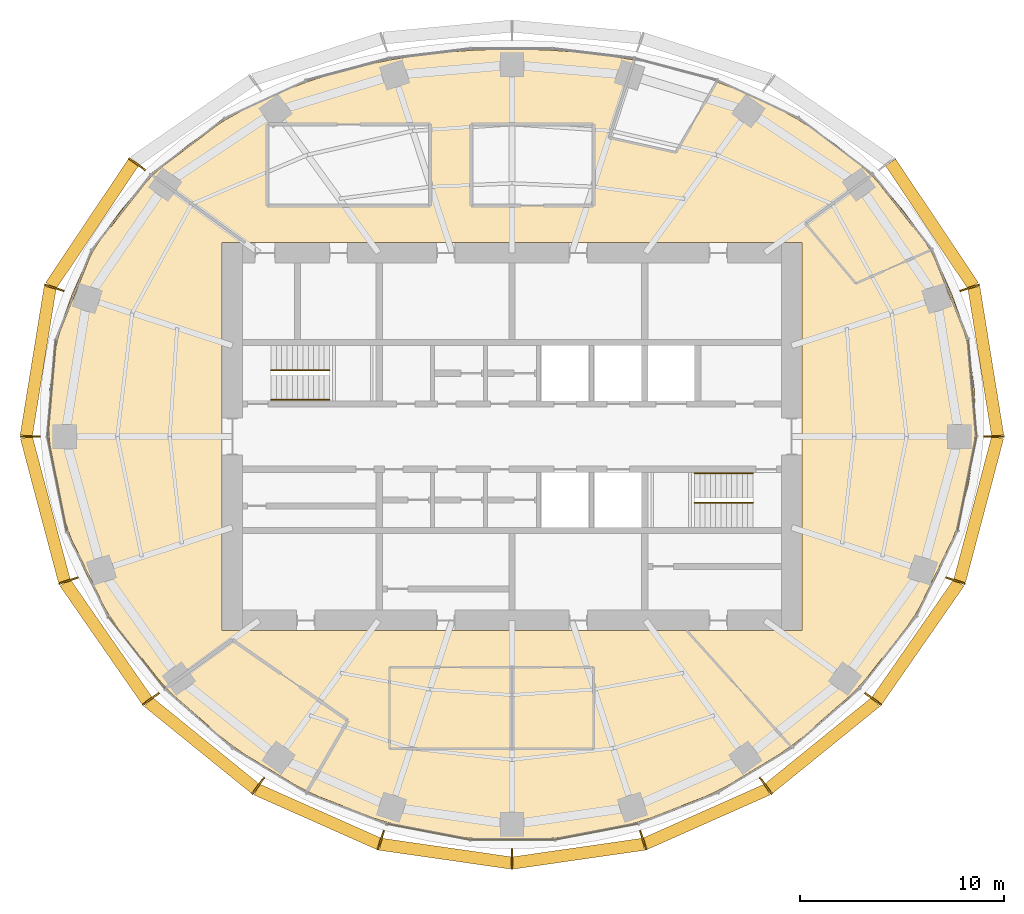
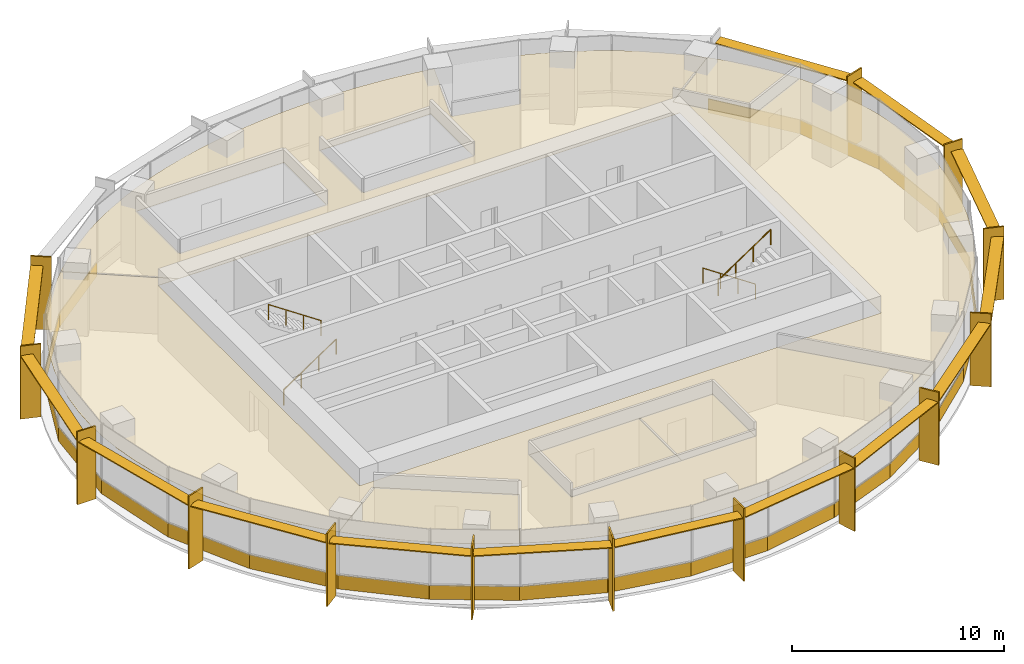
# One storey, part 12 of 13: 28 coverings, 28 shading devices, 4 railings.
"""IFC4 building model written with IfcOpenShell, lengths in metres."""

from ifc_helpers import new_model, si_unit, direction, frame, origin, origin_2d, place, context, subcontext, project, spatial, polyline, rectangle, circle, outline, extrude, material, layer, layer_set, type_object, element, save


model = new_model("IFC4")

# Units and contexts
model_context = context("Model", 3, precision=1e-05, world=origin(), true_north=direction((0.0, 1.0)))
body_context = subcontext(model_context, "Body", "Model", "MODEL_VIEW")
ifc_project = project(units=[si_unit("LENGTHUNIT", "METRE"), si_unit("AREAUNIT", "SQUARE_METRE"), si_unit("VOLUMEUNIT", "CUBIC_METRE"), si_unit("PLANEANGLEUNIT", "RADIAN"), si_unit("MASSUNIT", "GRAM", prefix="KILO")], contexts=[model_context])

# Site, building, storey
site_placement = place(None, origin())
site = spatial("IfcSite", under=ifc_project, at=site_placement, CompositionType="ELEMENT")
building_placement = place(site_placement, origin())
building = spatial("IfcBuilding", under=site, at=building_placement, Name="Marramba Exchange Tower", CompositionType="ELEMENT")
storey_placement = place(building_placement, frame((0.0, 0.0, 264.39990234375)))
storey = spatial("IfcBuildingStorey", under=building, at=storey_placement, Name="L64", CompositionType="ELEMENT", Elevation=264.39990234375)

# Shading devices
ifc_material_1 = material(Name="Aluminium blade, timber-look bronze finish", Category="wood")
ifc_layer_1 = layer(ifc_material_1, 0.080078125)
ifc_layer_set_1 = layer_set([ifc_layer_1], Name="Floor-edge blade 1000x80")
shading_device_type_1 = type_object("IfcShadingDeviceType", Name="Floor-edge blade 1000x80", PredefinedType="USERDEFINED", material=ifc_layer_set_1)
for number, where, z_axis, x_axis, name in (
    (1, (23.60009765625, 0.0, -0.15966796875), (0.0, 0.0, 1.0), (1.0, 0.0, 0.0), "Floor-edge blade FB1 L64 TC01"),
    (2, (22.425048828125, 7.286376953125, -0.15966796875), (0.0, 0.0, 1.0), (0.951056516295, 0.309016994375, 0.0), "Floor-edge blade FB1 L64 TC02"),
    (3, (-18.361083984375, 13.340087890625, -0.15966796875), (0.0, 0.0, 1.0), (-0.809016994375, 0.587785252292, 0.0), "Floor-edge blade FB1 L64 TC09"),
    (4, (-22.425048828125, 7.286376953125, -0.15966796875), (0.0, 0.0, 1.0), (-0.951056516295, 0.309016994375, 0.0), "Floor-edge blade FB1 L64 TC10"),
    (5, (-23.60009765625, 0.0, -0.15966796875), (0.0, 0.0, 1.0), (-1.0, 0.0, 0.0), "Floor-edge blade FB1 L64 TC11"),
    (6, (-21.72607421875, -7.059326171875, -0.15966796875), (0.0, 0.0, 1.0), (-0.951056516295, -0.309016994375, 0.0), "Floor-edge blade FB1 L64 TC12"),
    (7, (-17.690673828125, -12.85302734375, -0.15966796875), (0.0, 0.0, 1.0), (-0.809016994375, -0.587785252292, 0.0), "Floor-edge blade FB1 L64 TC13"),
    (8, (-12.4296875, -17.10791015625, -0.15966796875), (0.0, 0.0, 1.0), (-0.587785252292, -0.809016994375, 0.0), "Floor-edge blade FB1 L64 TC14"),
    (9, (-6.4248046875, -19.77392578125, -0.15966796875), (0.0, 0.0, 1.0), (-0.309016994375, -0.951056516295, 0.0), "Floor-edge blade FB1 L64 TC15"),
    (10, (0.0, -20.696044921875, -0.15966796875), (0.0, 0.0, 1.0), (0.0, -1.0, 0.0), "Floor-edge blade FB1 L64 TC16"),
    (11, (6.4248046875, -19.77392578125, -0.15966796875), (0.0, 0.0, 1.0), (0.309016994375, -0.951056516295, 0.0), "Floor-edge blade FB1 L64 TC17"),
    (12, (12.4296875, -17.10791015625, -0.15966796875), (0.0, 0.0, 1.0), (0.587785252292, -0.809016994375, 0.0), "Floor-edge blade FB1 L64 TC18"),
    (13, (17.690673828125, -12.85302734375, -0.15966796875), (0.0, 0.0, 1.0), (0.809016994375, -0.587785252292, 0.0), "Floor-edge blade FB1 L64 TC19"),
    (14, (21.72607421875, -7.059326171875, -0.15966796875), (0.0, 0.0, 1.0), (0.951056516295, -0.309016994375, 0.0), "Floor-edge blade FB1 L64 TC20"),
):
    element("IfcShadingDevice", number, at=place(storey_placement, frame(where, z_axis=z_axis, x_axis=x_axis)), inside=storey, type_object=shading_device_type_1, Name=name, ObjectType="FIN", PredefinedType="USERDEFINED", context=body_context, shape_type="SweptSolid", body=[
        extrude(rectangle(XDim=1.0, YDim=0.080078125, at=origin_2d()), origin(), (0.0, 0.0, 1.0), 4.199951171875),
    ])
ifc_material_2 = material(Name="Aluminium sunshade, bronze anodised", Category="aluminium")
ifc_layer_2 = layer(ifc_material_2, 0.06005859375)
ifc_layer_set_2 = layer_set([ifc_layer_2], Name="SUNSHADE blade 600x60")
shading_device_type_2 = type_object("IfcShadingDeviceType", Name="SUNSHADE blade 600x60", PredefinedType="USERDEFINED", material=ifc_layer_set_2)
shading_device_1_placement = place(storey_placement, frame((23.207763671875, 3.674072265625, 3.4599609375), z_axis=(0.0, 0.0, 1.0), x_axis=(-0.159157708434, 0.9872531711, 0.0)))
element("IfcShadingDevice", 15, at=shading_device_1_placement, inside=storey, type_object=shading_device_type_2, Name="Sunshade SS1 L64 bay 01", ObjectType="SUNSHADE", PredefinedType="USERDEFINED", context=body_context, shape_type="SweptSolid", body=[
    extrude(rectangle(XDim=7.363037109375, YDim=0.60009765625, at=origin_2d()), origin(), (0.0, 0.0, 1.0), 0.06005859375),
])
for number, where, z_axis, x_axis, name in (
    (16, (20.569091796875, 10.40283203125, 3.4599609375), (0.0, 0.0, 1.0), (-0.556539553467, 0.830821115179, 0.0), "Sunshade SS1 L64 bay 02"),
    (17, (-20.569091796875, 10.40283203125, 3.4599609375), (0.0, 0.0, 1.0), (-0.556539553467, -0.830821115179, 0.0), "Sunshade SS1 L64 bay 09"),
):
    element("IfcShadingDevice", number, at=place(storey_placement, frame(where, z_axis=z_axis, x_axis=x_axis)), inside=storey, type_object=shading_device_type_2, Name=name, ObjectType="SUNSHADE", PredefinedType="USERDEFINED", context=body_context, shape_type="SweptSolid", body=[
        extrude(rectangle(XDim=7.2734375, YDim=0.60009765625, at=origin_2d()), origin(), (0.0, 0.0, 1.0), 0.06005859375),
    ])
shading_device_2_placement = place(storey_placement, frame((-23.207763671875, 3.674072265625, 3.4599609375), z_axis=(0.0, 0.0, 1.0), x_axis=(-0.159157708434, -0.9872531711, 0.0)))
element("IfcShadingDevice", 18, at=shading_device_2_placement, inside=storey, type_object=shading_device_type_2, Name="Sunshade SS1 L64 bay 10", ObjectType="SUNSHADE", PredefinedType="USERDEFINED", context=body_context, shape_type="SweptSolid", body=[
    extrude(rectangle(XDim=7.363037109375, YDim=0.60009765625, at=origin_2d()), origin(), (0.0, 0.0, 1.0), 0.06005859375),
])
shading_device_3_placement = place(storey_placement, frame((-22.858154296875, -3.560546875, 3.4599609375), z_axis=(0.0, 0.0, 1.0), x_axis=(0.25571852004, -0.966751280583, 0.0)))
element("IfcShadingDevice", 19, at=shading_device_3_placement, inside=storey, type_object=shading_device_type_2, Name="Sunshade SS1 L64 bay 11", ObjectType="SUNSHADE", PredefinedType="USERDEFINED", context=body_context, shape_type="SweptSolid", body=[
    extrude(rectangle(XDim=7.285888671875, YDim=0.60009765625, at=origin_2d()), origin(), (0.0, 0.0, 1.0), 0.06005859375),
])
shading_device_4_placement = place(storey_placement, frame((-19.884521484375, -10.0458984375, 3.4599609375), z_axis=(0.0, 0.0, 1.0), x_axis=(0.570557728211, -0.821257498461, 0.0)))
element("IfcShadingDevice", 20, at=shading_device_4_placement, inside=storey, type_object=shading_device_type_2, Name="Sunshade SS1 L64 bay 12", ObjectType="SUNSHADE", PredefinedType="USERDEFINED", context=body_context, shape_type="SweptSolid", body=[
    extrude(rectangle(XDim=7.042724609375, YDim=0.60009765625, at=origin_2d()), origin(), (0.0, 0.0, 1.0), 0.06005859375),
])
shading_device_5_placement = place(storey_placement, frame((-15.199951171875, -15.1201171875, 3.4599609375), z_axis=(0.0, 0.0, 1.0), x_axis=(0.77692769033, -0.629589837909, 0.0)))
element("IfcShadingDevice", 21, at=shading_device_5_placement, inside=storey, type_object=shading_device_type_2, Name="Sunshade SS1 L64 bay 13", ObjectType="SUNSHADE", PredefinedType="USERDEFINED", context=body_context, shape_type="SweptSolid", body=[
    extrude(rectangle(XDim=6.74853515625, YDim=0.60009765625, at=origin_2d()), origin(), (0.0, 0.0, 1.0), 0.06005859375),
])
shading_device_6_placement = place(storey_placement, frame((-9.51708984375, -18.616943359375, 3.4599609375), z_axis=(0.0, 0.0, 1.0), x_axis=(0.913771139733, -0.406229373864, 0.0)))
element("IfcShadingDevice", 22, at=shading_device_6_placement, inside=storey, type_object=shading_device_type_2, Name="Sunshade SS1 L64 bay 14", ObjectType="SUNSHADE", PredefinedType="USERDEFINED", context=body_context, shape_type="SweptSolid", body=[
    extrude(rectangle(XDim=6.552490234375, YDim=0.60009765625, at=origin_2d()), origin(), (0.0, 0.0, 1.0), 0.06005859375),
])
for number, where, z_axis, x_axis, name in (
    (23, (-3.243408203125, -20.429931640625, 3.4599609375), (0.0, 0.0, 1.0), (0.989836541125, -0.142209781145, 0.0), "Sunshade SS1 L64 bay 15"),
    (24, (3.243408203125, -20.429931640625, 3.4599609375), (0.0, 0.0, 1.0), (0.989836541125, 0.142209781145, 0.0), "Sunshade SS1 L64 bay 16"),
):
    element("IfcShadingDevice", number, at=place(storey_placement, frame(where, z_axis=z_axis, x_axis=x_axis)), inside=storey, type_object=shading_device_type_2, Name=name, ObjectType="SUNSHADE", PredefinedType="USERDEFINED", context=body_context, shape_type="SweptSolid", body=[
        extrude(rectangle(XDim=6.473388671875, YDim=0.60009765625, at=origin_2d()), origin(), (0.0, 0.0, 1.0), 0.06005859375),
    ])
shading_device_7_placement = place(storey_placement, frame((9.51708984375, -18.616943359375, 3.4599609375), z_axis=(0.0, 0.0, 1.0), x_axis=(0.913771139733, 0.406229373864, 0.0)))
element("IfcShadingDevice", 25, at=shading_device_7_placement, inside=storey, type_object=shading_device_type_2, Name="Sunshade SS1 L64 bay 17", ObjectType="SUNSHADE", PredefinedType="USERDEFINED", context=body_context, shape_type="SweptSolid", body=[
    extrude(rectangle(XDim=6.552490234375, YDim=0.60009765625, at=origin_2d()), origin(), (0.0, 0.0, 1.0), 0.06005859375),
])
shading_device_8_placement = place(storey_placement, frame((15.199951171875, -15.1201171875, 3.4599609375), z_axis=(0.0, 0.0, 1.0), x_axis=(0.77692769033, 0.629589837909, 0.0)))
element("IfcShadingDevice", 26, at=shading_device_8_placement, inside=storey, type_object=shading_device_type_2, Name="Sunshade SS1 L64 bay 18", ObjectType="SUNSHADE", PredefinedType="USERDEFINED", context=body_context, shape_type="SweptSolid", body=[
    extrude(rectangle(XDim=6.74853515625, YDim=0.60009765625, at=origin_2d()), origin(), (0.0, 0.0, 1.0), 0.06005859375),
])
shading_device_9_placement = place(storey_placement, frame((19.884521484375, -10.0458984375, 3.4599609375), z_axis=(0.0, 0.0, 1.0), x_axis=(0.570557728211, 0.821257498461, 0.0)))
element("IfcShadingDevice", 27, at=shading_device_9_placement, inside=storey, type_object=shading_device_type_2, Name="Sunshade SS1 L64 bay 19", ObjectType="SUNSHADE", PredefinedType="USERDEFINED", context=body_context, shape_type="SweptSolid", body=[
    extrude(rectangle(XDim=7.042724609375, YDim=0.60009765625, at=origin_2d()), origin(), (0.0, 0.0, 1.0), 0.06005859375),
])
shading_device_10_placement = place(storey_placement, frame((22.858154296875, -3.560546875, 3.4599609375), z_axis=(0.0, 0.0, 1.0), x_axis=(0.25571852004, 0.966751280583, 0.0)))
element("IfcShadingDevice", 28, at=shading_device_10_placement, inside=storey, type_object=shading_device_type_2, Name="Sunshade SS1 L64 bay 20", ObjectType="SUNSHADE", PredefinedType="USERDEFINED", context=body_context, shape_type="SweptSolid", body=[
    extrude(rectangle(XDim=7.285888671875, YDim=0.60009765625, at=origin_2d()), origin(), (0.0, 0.0, 1.0), 0.06005859375),
])

# Coverings
ifc_material_3 = material(Name="Aluminium spandrel panel, bronze anodised, insulated", Category="aluminium")
ifc_layer_3 = layer(ifc_material_3, 0.050048828125)
ifc_layer_set_3 = layer_set([ifc_layer_3], Name="Spandrel panel 800")
covering_type_1 = type_object("IfcCoveringType", Name="Spandrel panel 800", PredefinedType="CLADDING", material=ifc_layer_set_3)
covering_1_placement = place(storey_placement, frame((22.546142578125, 2.37451171875, 0.0), z_axis=(0.0, 0.0, 1.0), x_axis=(-0.085574001482, 0.996331817353, 0.0)))
element("IfcCovering", 29, at=covering_1_placement, inside=storey, type_object=covering_type_1, Name="Spandrel panel SP1 L64 F01", PredefinedType="CLADDING", context=body_context, shape_type="SweptSolid", body=[
    extrude(rectangle(XDim=4.766357421875, YDim=0.050048828125, at=origin_2d()), origin(), (0.0, 0.0, 1.0), 0.800048828125),
])
covering_2_placement = place(storey_placement, frame((21.455810546875, 6.95361328125, 0.0), z_axis=(0.0, 0.0, 1.0), x_axis=(-0.37298308637, 0.927838141748, 0.0)))
element("IfcCovering", 30, at=covering_2_placement, inside=storey, type_object=covering_type_1, Name="Spandrel panel SP1 L64 F02", PredefinedType="CLADDING", context=body_context, shape_type="SweptSolid", body=[
    extrude(rectangle(XDim=4.752197265625, YDim=0.050048828125, at=origin_2d()), origin(), (0.0, 0.0, 1.0), 0.800048828125),
])
covering_3_placement = place(storey_placement, frame((19.12158203125, 10.999267578125, 0.0), z_axis=(0.0, 0.0, 1.0), x_axis=(-0.618222858348, 0.786002860946, 0.0)))
element("IfcCovering", 31, at=covering_3_placement, inside=storey, type_object=covering_type_1, Name="Spandrel panel SP1 L64 F03", PredefinedType="CLADDING", context=body_context, shape_type="SweptSolid", body=[
    extrude(rectangle(XDim=4.684814453125, YDim=0.050048828125, at=origin_2d()), origin(), (0.0, 0.0, 1.0), 0.800048828125),
])
covering_4_placement = place(storey_placement, frame((-15.859375, 14.2197265625, 0.0), z_axis=(0.0, 0.0, 1.0), x_axis=(-0.796058898731, -0.605219158447, 0.0)))
element("IfcCovering", 32, at=covering_4_placement, inside=storey, type_object=covering_type_1, Name="Spandrel panel SP1 L64 F12", PredefinedType="CLADDING", context=body_context, shape_type="SweptSolid", body=[
    extrude(rectangle(XDim=4.5576171875, YDim=0.050048828125, at=origin_2d()), origin(), (0.0, 0.0, 1.0), 0.800048828125),
])
covering_5_placement = place(storey_placement, frame((-19.12158203125, 10.999267578125, 0.0), z_axis=(0.0, 0.0, 1.0), x_axis=(-0.618222858348, -0.786002860946, 0.0)))
element("IfcCovering", 33, at=covering_5_placement, inside=storey, type_object=covering_type_1, Name="Spandrel panel SP1 L64 F13", PredefinedType="CLADDING", context=body_context, shape_type="SweptSolid", body=[
    extrude(rectangle(XDim=4.684814453125, YDim=0.050048828125, at=origin_2d()), origin(), (0.0, 0.0, 1.0), 0.800048828125),
])
covering_6_placement = place(storey_placement, frame((-21.455810546875, 6.95361328125, 0.0), z_axis=(0.0, 0.0, 1.0), x_axis=(-0.37298308637, -0.927838141748, 0.0)))
element("IfcCovering", 34, at=covering_6_placement, inside=storey, type_object=covering_type_1, Name="Spandrel panel SP1 L64 F14", PredefinedType="CLADDING", context=body_context, shape_type="SweptSolid", body=[
    extrude(rectangle(XDim=4.752197265625, YDim=0.050048828125, at=origin_2d()), origin(), (0.0, 0.0, 1.0), 0.800048828125),
])
covering_7_placement = place(storey_placement, frame((-22.546142578125, 2.37451171875, 0.0), z_axis=(0.0, 0.0, 1.0), x_axis=(-0.085574001482, -0.996331817353, 0.0)))
element("IfcCovering", 35, at=covering_7_placement, inside=storey, type_object=covering_type_1, Name="Spandrel panel SP1 L64 F15", PredefinedType="CLADDING", context=body_context, shape_type="SweptSolid", body=[
    extrude(rectangle(XDim=4.766357421875, YDim=0.050048828125, at=origin_2d()), origin(), (0.0, 0.0, 1.0), 0.800048828125),
])
covering_8_placement = place(storey_placement, frame((-22.282470703125, -2.318359375, 0.0), z_axis=(0.0, 0.0, 1.0), x_axis=(0.197670531369, -0.980268514759, 0.0)))
element("IfcCovering", 36, at=covering_8_placement, inside=storey, type_object=covering_type_1, Name="Spandrel panel SP1 L64 F16", PredefinedType="CLADDING", context=body_context, shape_type="SweptSolid", body=[
    extrude(rectangle(XDim=4.730224609375, YDim=0.050048828125, at=origin_2d()), origin(), (0.0, 0.0, 1.0), 0.800048828125),
])
covering_9_placement = place(storey_placement, frame((-20.802490234375, -6.723876953125, 0.0), z_axis=(0.0, 0.0, 1.0), x_axis=(0.436514592932, -0.89969717692, 0.0)))
element("IfcCovering", 37, at=covering_9_placement, inside=storey, type_object=covering_type_1, Name="Spandrel panel SP1 L64 F17", PredefinedType="CLADDING", context=body_context, shape_type="SweptSolid", body=[
    extrude(rectangle(XDim=4.639404296875, YDim=0.050048828125, at=origin_2d()), origin(), (0.0, 0.0, 1.0), 0.800048828125),
])
covering_10_placement = place(storey_placement, frame((-18.396484375, -10.582275390625, 0.0), z_axis=(0.0, 0.0, 1.0), x_axis=(0.618290638357, -0.785949544513, 0.0)))
element("IfcCovering", 38, at=covering_10_placement, inside=storey, type_object=covering_type_1, Name="Spandrel panel SP1 L64 F18", PredefinedType="CLADDING", context=body_context, shape_type="SweptSolid", body=[
    extrude(rectangle(XDim=4.50732421875, YDim=0.050048828125, at=origin_2d()), origin(), (0.0, 0.0, 1.0), 0.800048828125),
])
covering_11_placement = place(storey_placement, frame((-15.358154296875, -13.791748046875, 0.0), z_axis=(0.0, 0.0, 1.0), x_axis=(0.752751054625, -0.658305286141, 0.0)))
element("IfcCovering", 39, at=covering_11_placement, inside=storey, type_object=covering_type_1, Name="Spandrel panel SP1 L64 F19", PredefinedType="CLADDING", context=body_context, shape_type="SweptSolid", body=[
    extrude(rectangle(XDim=4.3701171875, YDim=0.050048828125, at=origin_2d()), origin(), (0.0, 0.0, 1.0), 0.800048828125),
])
covering_12_placement = place(storey_placement, frame((-11.89208984375, -16.336669921875, 0.0), z_axis=(0.0, 0.0, 1.0), x_axis=(0.854704332048, -0.519115117077, 0.0)))
element("IfcCovering", 40, at=covering_12_placement, inside=storey, type_object=covering_type_1, Name="Spandrel panel SP1 L64 F20", PredefinedType="CLADDING", context=body_context, shape_type="SweptSolid", body=[
    extrude(rectangle(XDim=4.261962890625, YDim=0.050048828125, at=origin_2d()), origin(), (0.0, 0.0, 1.0), 0.800048828125),
])
covering_13_placement = place(storey_placement, frame((-8.116455078125, -18.2041015625, 0.0), z_axis=(0.0, 0.0, 1.0), x_axis=(0.931785135173, -0.363010277914, 0.0)))
element("IfcCovering", 41, at=covering_13_placement, inside=storey, type_object=covering_type_1, Name="Spandrel panel SP1 L64 F21", PredefinedType="CLADDING", context=body_context, shape_type="SweptSolid", body=[
    extrude(rectangle(XDim=4.194580078125, YDim=0.050048828125, at=origin_2d()), origin(), (0.0, 0.0, 1.0), 0.800048828125),
])
covering_14_placement = place(storey_placement, frame((-4.118896484375, -19.356201171875, 0.0), z_axis=(0.0, 0.0, 1.0), x_axis=(0.982193292652, -0.187873190928, 0.0)))
element("IfcCovering", 42, at=covering_14_placement, inside=storey, type_object=covering_type_1, Name="Spandrel panel SP1 L64 F22", PredefinedType="CLADDING", context=body_context, shape_type="SweptSolid", body=[
    extrude(rectangle(XDim=4.160888671875, YDim=0.050048828125, at=origin_2d()), origin(), (0.0, 0.0, 1.0), 0.800048828125),
])
covering_15_placement = place(storey_placement, frame((0.0, -19.7470703125, 0.0), z_axis=(0.0, 0.0, 1.0), x_axis=(1.0, 0.0, 0.0)))
element("IfcCovering", 43, at=covering_15_placement, inside=storey, type_object=covering_type_1, Name="Spandrel panel SP1 L64 F23", PredefinedType="CLADDING", context=body_context, shape_type="SweptSolid", body=[
    extrude(rectangle(XDim=4.151123046875, YDim=0.050048828125, at=origin_2d()), origin(), (0.0, 0.0, 1.0), 0.800048828125),
])
covering_16_placement = place(storey_placement, frame((4.118896484375, -19.356201171875, 0.0), z_axis=(0.0, 0.0, 1.0), x_axis=(0.982193292652, 0.187873190928, 0.0)))
element("IfcCovering", 44, at=covering_16_placement, inside=storey, type_object=covering_type_1, Name="Spandrel panel SP1 L64 F24", PredefinedType="CLADDING", context=body_context, shape_type="SweptSolid", body=[
    extrude(rectangle(XDim=4.160888671875, YDim=0.050048828125, at=origin_2d()), origin(), (0.0, 0.0, 1.0), 0.800048828125),
])
covering_17_placement = place(storey_placement, frame((8.116455078125, -18.2041015625, 0.0), z_axis=(0.0, 0.0, 1.0), x_axis=(0.931785135173, 0.363010277914, 0.0)))
element("IfcCovering", 45, at=covering_17_placement, inside=storey, type_object=covering_type_1, Name="Spandrel panel SP1 L64 F25", PredefinedType="CLADDING", context=body_context, shape_type="SweptSolid", body=[
    extrude(rectangle(XDim=4.194580078125, YDim=0.050048828125, at=origin_2d()), origin(), (0.0, 0.0, 1.0), 0.800048828125),
])
covering_18_placement = place(storey_placement, frame((11.89208984375, -16.336669921875, 0.0), z_axis=(0.0, 0.0, 1.0), x_axis=(0.854704332048, 0.519115117077, 0.0)))
element("IfcCovering", 46, at=covering_18_placement, inside=storey, type_object=covering_type_1, Name="Spandrel panel SP1 L64 F26", PredefinedType="CLADDING", context=body_context, shape_type="SweptSolid", body=[
    extrude(rectangle(XDim=4.261962890625, YDim=0.050048828125, at=origin_2d()), origin(), (0.0, 0.0, 1.0), 0.800048828125),
])
covering_19_placement = place(storey_placement, frame((15.358154296875, -13.791748046875, 0.0), z_axis=(0.0, 0.0, 1.0), x_axis=(0.752751054625, 0.658305286141, 0.0)))
element("IfcCovering", 47, at=covering_19_placement, inside=storey, type_object=covering_type_1, Name="Spandrel panel SP1 L64 F27", PredefinedType="CLADDING", context=body_context, shape_type="SweptSolid", body=[
    extrude(rectangle(XDim=4.3701171875, YDim=0.050048828125, at=origin_2d()), origin(), (0.0, 0.0, 1.0), 0.800048828125),
])
covering_20_placement = place(storey_placement, frame((18.396484375, -10.582275390625, 0.0), z_axis=(0.0, 0.0, 1.0), x_axis=(0.618290638357, 0.785949544513, 0.0)))
element("IfcCovering", 48, at=covering_20_placement, inside=storey, type_object=covering_type_1, Name="Spandrel panel SP1 L64 F28", PredefinedType="CLADDING", context=body_context, shape_type="SweptSolid", body=[
    extrude(rectangle(XDim=4.50732421875, YDim=0.050048828125, at=origin_2d()), origin(), (0.0, 0.0, 1.0), 0.800048828125),
])
covering_21_placement = place(storey_placement, frame((20.802490234375, -6.723876953125, 0.0), z_axis=(0.0, 0.0, 1.0), x_axis=(0.436514592932, 0.89969717692, 0.0)))
element("IfcCovering", 49, at=covering_21_placement, inside=storey, type_object=covering_type_1, Name="Spandrel panel SP1 L64 F29", PredefinedType="CLADDING", context=body_context, shape_type="SweptSolid", body=[
    extrude(rectangle(XDim=4.639404296875, YDim=0.050048828125, at=origin_2d()), origin(), (0.0, 0.0, 1.0), 0.800048828125),
])
covering_22_placement = place(storey_placement, frame((22.282470703125, -2.318359375, 0.0), z_axis=(0.0, 0.0, 1.0), x_axis=(0.197670531369, 0.980268514759, 0.0)))
element("IfcCovering", 50, at=covering_22_placement, inside=storey, type_object=covering_type_1, Name="Spandrel panel SP1 L64 F30", PredefinedType="CLADDING", context=body_context, shape_type="SweptSolid", body=[
    extrude(rectangle(XDim=4.730224609375, YDim=0.050048828125, at=origin_2d()), origin(), (0.0, 0.0, 1.0), 0.800048828125),
])

# Railings
ifc_material_4 = material(Name="Stainless steel handrail", Category="steel")
railing_type = type_object("IfcRailingType", Name="Stair handrail 900", PredefinedType="HANDRAIL", material=ifc_material_4)
railing_1_placement = place(storey_placement, frame((-11.800048828125, 1.800048828125, 0.175048828125)))
element("IfcRailing", 51, at=railing_1_placement, inside=storey, type_object=railing_type, Name="Handrail HR1 ST1 L64 flight 1", PredefinedType="HANDRAIL", context=body_context, shape_type="SweptSolid", body=[
    extrude(circle(Radius=0.02392578125, at=origin_2d()), frame((0.0, 0.0, 0.8759765625), z_axis=(0.829590901723, 0.0, 0.558371682465), x_axis=(0.0, 1.0, 0.0)), (0.0, 0.0, 1.0), 3.447509765625),
    extrude(circle(Radius=0.02099609375, at=origin_2d()), origin(), (0.0, 0.0, 1.0), 0.851806640625),
    extrude(circle(Radius=0.02099609375, at=origin_2d()), frame((0.953369140625, 0.0, 0.6416015625)), (0.0, 0.0, 1.0), 0.851806640625),
    extrude(circle(Radius=0.02099609375, at=origin_2d()), frame((1.90673828125, 0.0, 1.283447265625)), (0.0, 0.0, 1.0), 0.851806640625),
    extrude(circle(Radius=0.02099609375, at=origin_2d()), frame((2.860107421875, 0.0, 1.925048828125)), (0.0, 0.0, 1.0), 0.851806640625),
])
for number, where, name in (
    (52, (-8.93994140625, 3.25, 2.275146484375), "Handrail HR1 ST1 L64 flight 2"),
    (53, (11.800048828125, -1.800048828125, 0.175048828125), "Handrail HR1 ST2 L64 flight 1"),
):
    element("IfcRailing", number, at=place(storey_placement, frame(where)), inside=storey, type_object=railing_type, Name=name, PredefinedType="HANDRAIL", context=body_context, shape_type="SweptSolid", body=[
        extrude(circle(Radius=0.02392578125, at=origin_2d()), frame((0.0, 0.0, 0.8759765625), z_axis=(-0.829590901723, 0.0, 0.558371682465), x_axis=(0.0, -1.0, 0.0)), (0.0, 0.0, 1.0), 3.447509765625),
        extrude(circle(Radius=0.02099609375, at=origin_2d()), origin(), (0.0, 0.0, 1.0), 0.851806640625),
        extrude(circle(Radius=0.02099609375, at=origin_2d()), frame((-0.953369140625, 0.0, 0.6416015625)), (0.0, 0.0, 1.0), 0.851806640625),
        extrude(circle(Radius=0.02099609375, at=origin_2d()), frame((-1.90673828125, 0.0, 1.283447265625)), (0.0, 0.0, 1.0), 0.851806640625),
        extrude(circle(Radius=0.02099609375, at=origin_2d()), frame((-2.860107421875, 0.0, 1.925048828125)), (0.0, 0.0, 1.0), 0.851806640625),
    ])
railing_2_placement = place(storey_placement, frame((8.93994140625, -3.25, 2.275146484375)))
element("IfcRailing", 54, at=railing_2_placement, inside=storey, type_object=railing_type, Name="Handrail HR1 ST2 L64 flight 2", PredefinedType="HANDRAIL", context=body_context, shape_type="SweptSolid", body=[
    extrude(circle(Radius=0.02392578125, at=origin_2d()), frame((0.0, 0.0, 0.8759765625), z_axis=(0.829590901723, 0.0, 0.558371682465), x_axis=(0.0, 1.0, 0.0)), (0.0, 0.0, 1.0), 3.447509765625),
    extrude(circle(Radius=0.02099609375, at=origin_2d()), origin(), (0.0, 0.0, 1.0), 0.851806640625),
    extrude(circle(Radius=0.02099609375, at=origin_2d()), frame((0.953369140625, 0.0, 0.6416015625)), (0.0, 0.0, 1.0), 0.851806640625),
    extrude(circle(Radius=0.02099609375, at=origin_2d()), frame((1.90673828125, 0.0, 1.283447265625)), (0.0, 0.0, 1.0), 0.851806640625),
    extrude(circle(Radius=0.02099609375, at=origin_2d()), frame((2.860107421875, 0.0, 1.925048828125)), (0.0, 0.0, 1.0), 0.851806640625),
])

# Coverings
ifc_material_5 = material(Name="Mineral fibre ceiling tiles", Category="gypsum")
ifc_layer_4 = layer(ifc_material_5, 0.02001953125)
ifc_layer_set_4 = layer_set([ifc_layer_4], Name="Suspended ceiling 20")
covering_type_2 = type_object("IfcCoveringType", Name="Suspended ceiling 20", PredefinedType="CEILING", material=ifc_layer_set_4)
covering_23_placement = place(storey_placement, frame((0.0, 0.0, 3.2001953125)))
element("IfcCovering", 55, at=covering_23_placement, inside=storey, type_object=covering_type_2, Name="Ceiling CL1 L64 Chief Executive Support Office", PredefinedType="CEILING", context=body_context, shape_type="SweptSolid", body=[
    extrude(outline(polyline([(14.199951171875, 9.5), (-13.07568359375, 9.5), (-17.608642578125, 12.79345703125), (-16.756591796875, 13.569091796875), (-15.865478515625, 14.285400390625), (-14.94189453125, 14.94189453125), (-13.99169921875, 15.539306640625), (-13.020751953125, 16.079345703125), (-12.033935546875, 16.563232421875), (-11.035888671875, 16.993896484375), (-10.030517578125, 17.37353515625), (-9.021240234375, 17.705078125), (-8.010498046875, 17.99169921875), (-7.0, 18.23583984375), (-5.99169921875, 18.44091796875), (-4.986328125, 18.609375), (-3.984130859375, 18.74365234375), (-2.98486328125, 18.845703125), (-1.98828125, 18.91748046875), (-0.99365234375, 18.9599609375), (0.0, 18.97412109375), (0.99365234375, 18.9599609375), (1.98828125, 18.91748046875), (2.98486328125, 18.845703125), (3.984130859375, 18.74365234375), (4.986328125, 18.609375), (5.99169921875, 18.44091796875), (4.755615234375, 14.63671875), (8.030517578125, 13.909423828125), (10.030517578125, 17.37353515625), (11.035888671875, 16.993896484375), (12.033935546875, 16.563232421875), (13.020751953125, 16.079345703125), (13.99169921875, 15.539306640625), (14.94189453125, 14.94189453125), (15.865478515625, 14.285400390625), (16.756591796875, 13.569091796875), (17.608642578125, 12.79345703125), (14.37255859375, 10.4423828125), (16.84228515625, 7.498779296875), (20.49658203125, 9.125732421875), (21.056640625, 8.0830078125), (21.540771484375, 6.9990234375), (21.9443359375, 5.8798828125), (22.263916015625, 4.732421875), (22.4970703125, 3.563232421875), (22.642333984375, 2.3798828125), (22.69970703125, 1.189697265625), (22.669921875, 0.0), (22.555419921875, -1.18212890625), (22.35888671875, -2.35009765625), (22.08447265625, -3.497802734375), (21.73681640625, -4.620361328125), (21.32080078125, -5.712890625), (20.841796875, -6.77197265625), (20.305419921875, -7.79443359375), (19.716796875, -8.7783203125), (19.081298828125, -9.722412109375), (18.403564453125, -10.625244140625), (17.68798828125, -11.48681640625), (16.938232421875, -12.306396484375), (16.158203125, -13.08447265625), (15.35009765625, -13.8212890625), (14.5166015625, -14.5166015625), (13.659912109375, -15.1708984375), (8.5537109375, -9.5), (14.199951171875, -9.5), (14.199951171875, 9.5)]), holes=[polyline([(-2.0, 11.300048828125), (4.0, 11.300048828125), (4.0, 15.300048828125), (-2.0, 15.300048828125), (-2.0, 11.300048828125)]), polyline([(-12.0, 11.300048828125), (-4.0, 11.300048828125), (-4.0, 15.300048828125), (-12.0, 15.300048828125), (-12.0, 11.300048828125)])]), origin(), (0.0, 0.0, 1.0), 0.02001953125),
])
covering_24_placement = place(storey_placement, frame((0.0, 0.0, 3.2001953125)))
element("IfcCovering", 56, at=covering_24_placement, inside=storey, type_object=covering_type_2, Name="Ceiling CL1 L64 Company Secretariat Office", PredefinedType="CEILING", context=body_context, shape_type="SweptSolid", body=[
    extrude(outline(polyline([(-14.199951171875, -9.5), (8.5537109375, -9.5), (10.764404296875, -11.955078125), (13.659912109375, -15.1708984375), (12.781494140625, -15.783935546875), (11.883056640625, -16.355712890625), (10.9658203125, -16.885498046875), (10.030517578125, -17.37353515625), (9.0791015625, -17.818603515625), (8.1123046875, -18.22021484375), (7.131103515625, -18.577392578125), (6.137451171875, -18.889404296875), (5.132568359375, -19.155029296875), (4.1181640625, -19.373779296875), (3.095703125, -19.544921875), (2.067138671875, -19.66748046875), (1.03466796875, -19.741455078125), (0.0, -19.76611328125), (-1.03466796875, -19.741455078125), (-2.067138671875, -19.66748046875), (-3.095703125, -19.544921875), (-4.1181640625, -19.373779296875), (-5.132568359375, -19.155029296875), (-6.137451171875, -18.889404296875), (-7.131103515625, -18.577392578125), (-8.1123046875, -18.22021484375), (-9.0791015625, -17.818603515625), (-10.030517578125, -17.37353515625), (-8.030517578125, -13.909423828125), (-13.7021484375, -9.955322265625), (-16.938232421875, -12.306396484375), (-17.68798828125, -11.48681640625), (-18.403564453125, -10.625244140625), (-19.081298828125, -9.722412109375), (-19.716796875, -8.7783203125), (-20.305419921875, -7.79443359375), (-20.841796875, -6.77197265625), (-21.32080078125, -5.712890625), (-21.73681640625, -4.620361328125), (-22.08447265625, -3.497802734375), (-22.35888671875, -2.35009765625), (-22.555419921875, -1.18212890625), (-22.669921875, 0.0), (-22.69970703125, 1.189697265625), (-22.642333984375, 2.3798828125), (-22.4970703125, 3.563232421875), (-22.263916015625, 4.732421875), (-21.9443359375, 5.8798828125), (-21.540771484375, 6.9990234375), (-21.056640625, 8.0830078125), (-20.49658203125, 9.125732421875), (-19.86572265625, 10.1220703125), (-19.169921875, 11.067626953125), (-18.415283203125, 11.958984375), (-17.608642578125, 12.79345703125), (-14.10986328125, 10.25146484375), (-13.07568359375, 9.5), (-14.199951171875, 9.5), (-14.199951171875, -9.5)]), holes=[polyline([(-6.0, -15.300048828125), (0.0, -15.300048828125), (4.0, -15.300048828125), (4.0, -11.300048828125), (0.0, -11.300048828125), (-6.0, -11.300048828125), (-6.0, -15.300048828125)])]), origin(), (0.0, 0.0, 1.0), 0.02001953125),
])
covering_25_placement = place(storey_placement, frame((0.0, 0.0, 3.2001953125)))
element("IfcCovering", 57, at=covering_25_placement, inside=storey, type_object=covering_type_2, Name="Ceiling CL1 L64 Executive Office 2", PredefinedType="CEILING", context=body_context, shape_type="SweptSolid", body=[
    extrude(outline(polyline([(17.793701171875, 12.60205078125), (18.415283203125, 11.958984375), (18.61181640625, 11.726806640625), (19.169921875, 11.067626953125), (19.562744140625, 10.53369140625), (19.86572265625, 10.1220703125), (20.49658203125, 9.125732421875), (16.84228515625, 7.498779296875), (14.37255859375, 10.4423828125), (17.608642578125, 12.79345703125), (17.793701171875, 12.60205078125)])), origin(), (0.0, 0.0, 1.0), 0.02001953125),
])
covering_26_placement = place(storey_placement, frame((0.0, 0.0, 3.2001953125)))
element("IfcCovering", 58, at=covering_26_placement, inside=storey, type_object=covering_type_2, Name="Ceiling CL1 L64 Boardroom", PredefinedType="CEILING", context=body_context, shape_type="SweptSolid", body=[
    extrude(outline(polyline([(-10.927490234375, -16.905517578125), (-10.9658203125, -16.885498046875), (-11.883056640625, -16.355712890625), (-11.947509765625, -16.314697265625), (-12.781494140625, -15.783935546875), (-13.659912109375, -15.1708984375), (-14.5166015625, -14.5166015625), (-15.35009765625, -13.8212890625), (-16.158203125, -13.08447265625), (-16.216796875, -13.02587890625), (-16.938232421875, -12.306396484375), (-13.7021484375, -9.955322265625), (-8.030517578125, -13.909423828125), (-10.030517578125, -17.37353515625), (-10.927490234375, -16.905517578125)])), origin(), (0.0, 0.0, 1.0), 0.02001953125),
])
covering_27_placement = place(storey_placement, frame((0.0, 0.0, 3.2001953125)))
element("IfcCovering", 59, at=covering_27_placement, inside=storey, type_object=covering_type_2, Name="Ceiling CL1 L64 Pantry", PredefinedType="CEILING", context=body_context, shape_type="SweptSolid", body=[
    extrude(outline(polyline([(0.0, -15.300048828125), (-6.0, -15.300048828125), (-6.0, -11.300048828125), (0.0, -11.300048828125), (0.0, -15.300048828125)])), origin(), (0.0, 0.0, 1.0), 0.02001953125),
])
covering_28_placement = place(storey_placement, frame((0.0, 0.0, 3.2001953125)))
element("IfcCovering", 60, at=covering_28_placement, inside=storey, type_object=covering_type_2, Name="Ceiling CL1 L64 Print Room", PredefinedType="CEILING", context=body_context, shape_type="SweptSolid", body=[
    extrude(outline(polyline([(4.0, -15.300048828125), (0.0, -15.300048828125), (0.0, -11.300048828125), (4.0, -11.300048828125), (4.0, -15.300048828125)])), origin(), (0.0, 0.0, 1.0), 0.02001953125),
])

save(model, "model.ifc")
